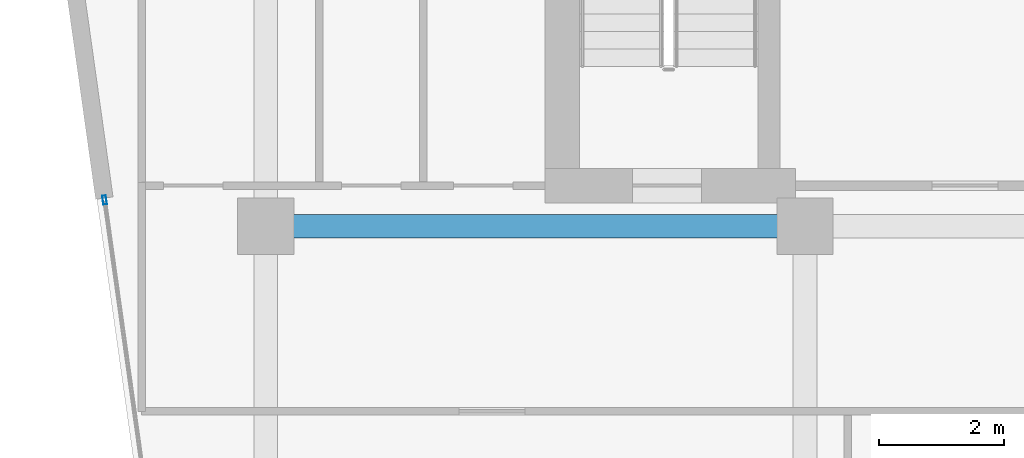
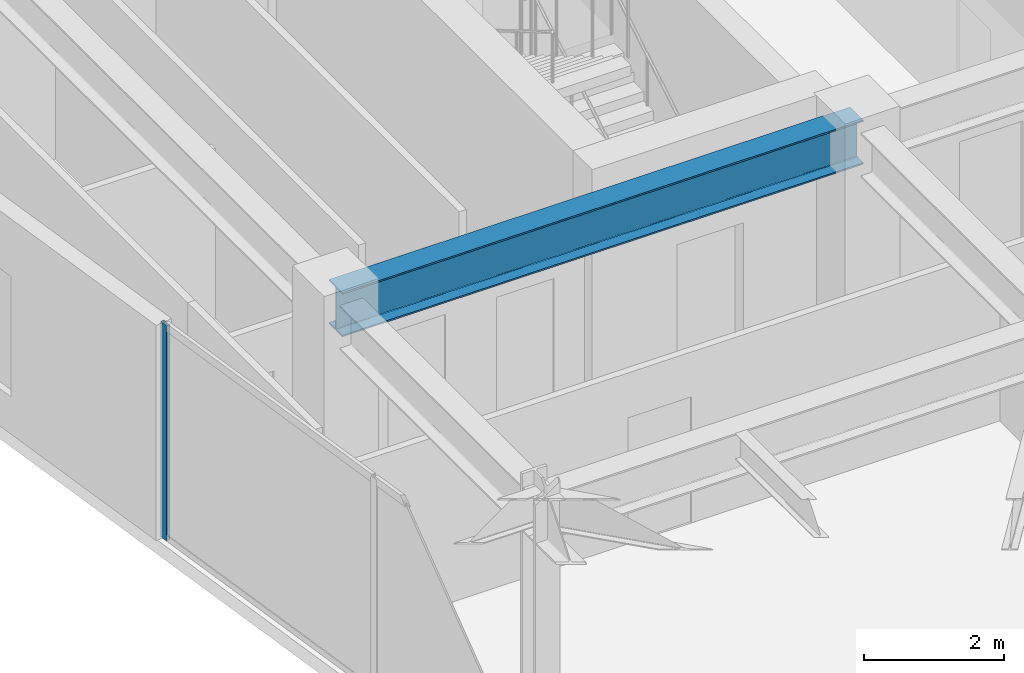
# One storey, part 12 of 26: 1 beam, 1 member, 1 element without a shape of its own.
"""IFC4 building model written with IfcOpenShell, lengths in metres."""

from ifc_helpers import new_model, si_unit, direction, frame, origin, origin_2d, place, context, subcontext, project, spatial, hollow_rectangle, i_section, extrude, material, layer, layer_set, material_profile, profile_set, type_object, element, aggregate, save


model = new_model("IFC4")

# Units and contexts
model_context = context("Model", 3, precision=1e-05, world=origin(), true_north=direction((0.0, 1.0)))
body_context = subcontext(model_context, "Body", "Model", "MODEL_VIEW")
ifc_project = project(units=[si_unit("LENGTHUNIT", "METRE"), si_unit("AREAUNIT", "SQUARE_METRE"), si_unit("VOLUMEUNIT", "CUBIC_METRE"), si_unit("PLANEANGLEUNIT", "RADIAN"), si_unit("MASSUNIT", "GRAM", prefix="KILO")], contexts=[model_context])

# Site, building, storey
site_placement = place(None, origin())
site = spatial("IfcSite", under=ifc_project, at=site_placement, CompositionType="ELEMENT")
building_placement = place(site_placement, origin())
building = spatial("IfcBuilding", under=site, at=building_placement, Name="Kravanh Interchange Tower", CompositionType="ELEMENT")
storey_placement = place(building_placement, frame((0.0, 0.0, 172.5)))
storey = spatial("IfcBuildingStorey", under=building, at=storey_placement, Name="L41", CompositionType="ELEMENT", Elevation=172.5)

# Curtain wall, member
ifc_material_1 = material(Name="Anodised Bronze Aluminium", Category="aluminium")
ifc_layer = layer(ifc_material_1, 0.179931640625)
ifc_layer_set = layer_set([ifc_layer], Name="Unitised Curtain Wall System CW-Z3 Upper Office")
curtain_wall_type = type_object("IfcCurtainWallType", Name="Unitised Curtain Wall System CW-Z3 Upper Office", PredefinedType="NOTDEFINED", material=ifc_layer_set)
curtain_wall_placement = place(storey_placement, origin())
curtain_wall = element("IfcCurtainWall", 1, at=curtain_wall_placement, inside=storey, type_object=curtain_wall_type, Name="L41 Unitised Curtain Wall CW-L41-01", PredefinedType="NOTDEFINED")
ifc_material_2 = material(Name="Anodised Bronze Aluminium", Category="aluminium")
ifc_material_profile_1 = material_profile(ifc_material_2, hollow_rectangle(XDim=0.06005859375, YDim=0.139892578125, WallThickness=0.00390625, at=origin_2d()), Name="ALU60X140X4")
ifc_profile_set_1 = profile_set([ifc_material_profile_1], Name="Anodised Bronze Aluminium")
member_type = type_object("IfcMemberType", Name="Curtain Wall Mullion ALU60X140X4 Bronze", PredefinedType="MULLION", material=ifc_profile_set_1)
member_placement = place(storey_placement, frame((16.029296875, 37.770263671875, 0.0), z_axis=(0.0, 0.0, 1.0), x_axis=(-0.990268194035, -0.139172209446, 0.0)))
member = element("IfcMember", 2, at=member_placement, type_object=member_type, Name="CW-Z3 mullion 6", PredefinedType="MULLION", context=body_context, shape_type="SweptSolid", body=[
    extrude(hollow_rectangle(XDim=0.06005859375, YDim=0.139892578125, WallThickness=0.00390625, at=origin_2d()), origin(), (0.0, 0.0, 1.0), 3.7548828125),
])
aggregate(curtain_wall, [member])

# Beam
ifc_material_3 = material(Name="Structural Steel S355", Category="steel")
ifc_material_profile_2 = material_profile(ifc_material_3, i_section(OverallWidth=0.381103515625, OverallDepth=0.77294921875, WebThickness=0.0166015625, FlangeThickness=0.027099609375, FilletRadius=0.02490234375, at=origin_2d()), Name="W30X173")
ifc_profile_set_2 = profile_set([ifc_material_profile_2], Name="Structural Steel S355")
beam_type = type_object("IfcBeamType", Name="Floor Beam W30X173 Structural Steel S355", PredefinedType="BEAM", material=ifc_profile_set_2)
beam_placement = place(storey_placement, frame((27.199951171875, 37.35009765625, 3.368408203125), z_axis=(-1.0, 0.0, 0.0), x_axis=(0.0, -1.0, 0.0)))
element("IfcBeam", 3, at=beam_placement, inside=storey, type_object=beam_type, Name="L41 Primary Floor Girder 25", PredefinedType="BEAM", context=body_context, shape_type="SweptSolid", body=[
    extrude(i_section(OverallWidth=0.381103515625, OverallDepth=0.77294921875, WebThickness=0.0166015625, FlangeThickness=0.027099609375, FilletRadius=0.02490234375, at=origin_2d()), origin(), (0.0, 0.0, 1.0), 8.599853515625),
])

save(model, "model.ifc")
